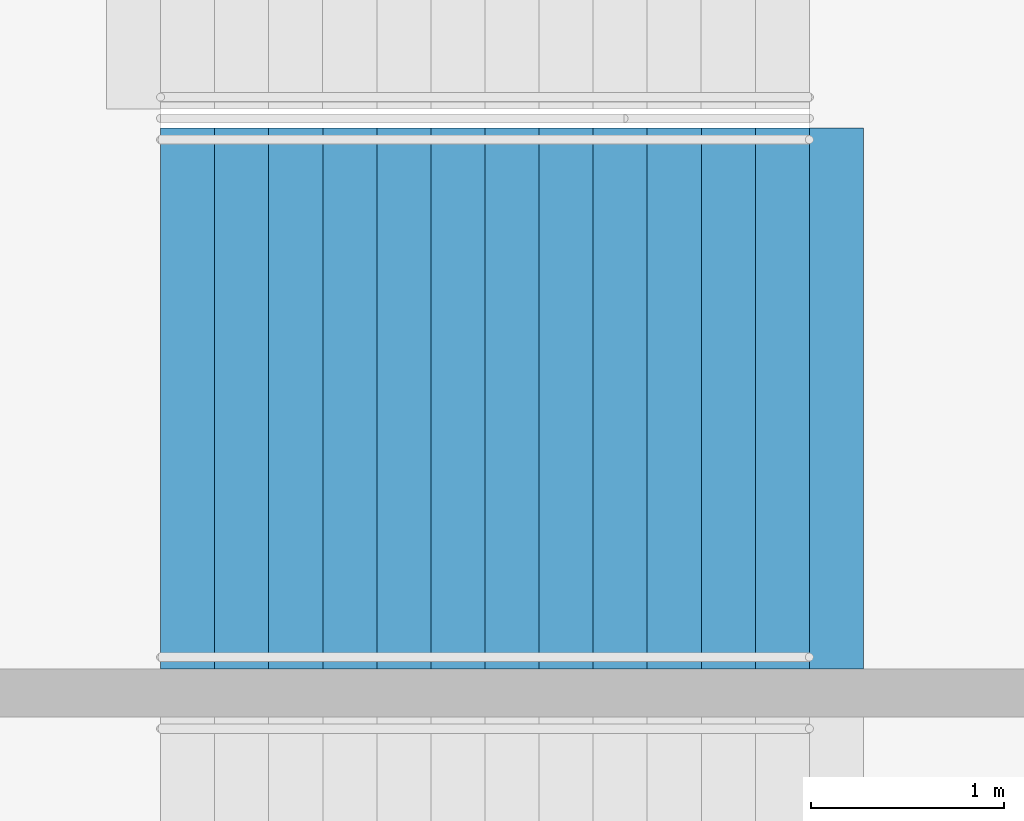
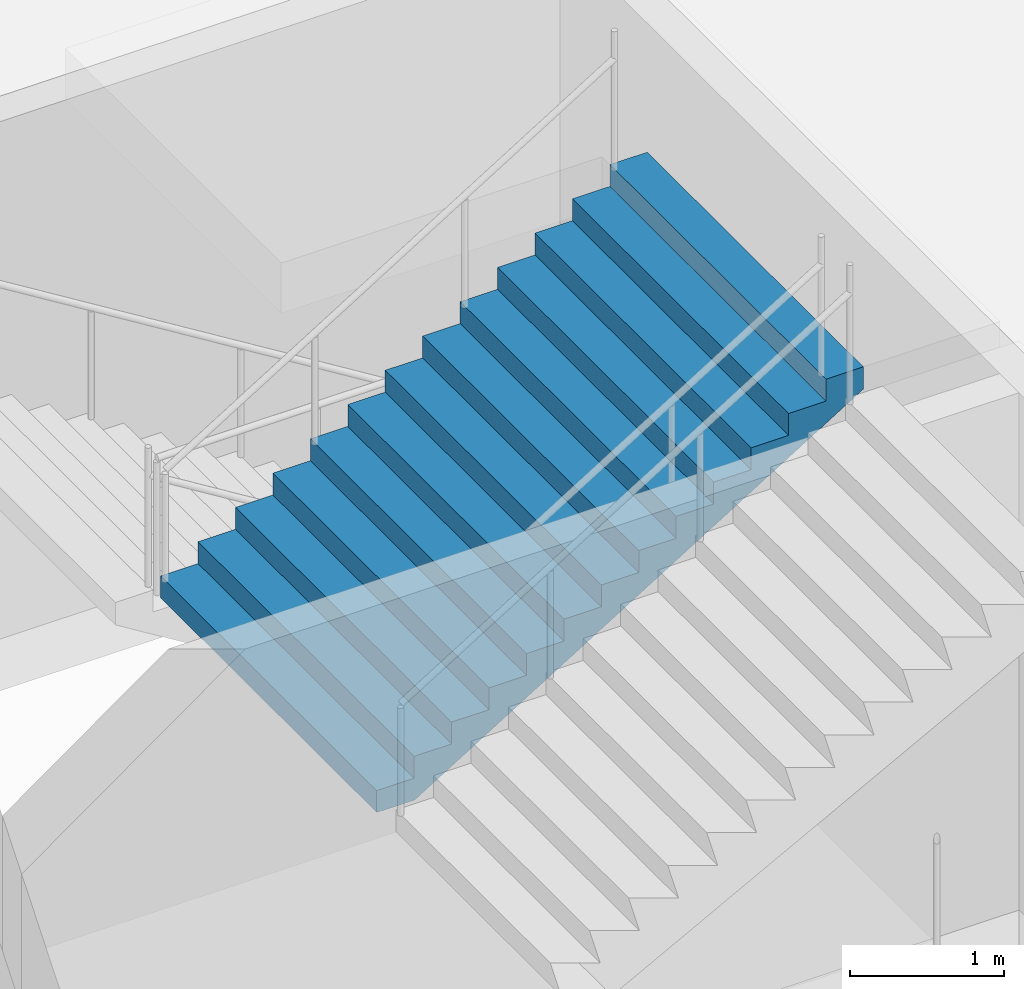
# One storey, part 128 of 199: 1 stair flight, 1 element without a shape of its own.
"""IFC4 building model written with IfcOpenShell, lengths in metres."""

from ifc_helpers import new_model, si_unit, direction, frame, origin, place, context, subcontext, project, spatial, faceted_brep, material, type_object, element, aggregate, save


model = new_model("IFC4")

# Units and contexts
model_context = context("Model", 3, precision=1e-05, world=origin(), true_north=direction((0.0, 1.0)))
body_context = subcontext(model_context, "Body", "Model", "MODEL_VIEW")
ifc_project = project(units=[si_unit("LENGTHUNIT", "METRE"), si_unit("AREAUNIT", "SQUARE_METRE"), si_unit("VOLUMEUNIT", "CUBIC_METRE"), si_unit("PLANEANGLEUNIT", "RADIAN"), si_unit("MASSUNIT", "GRAM", prefix="KILO")], contexts=[model_context])

# Site, building, storey
site_placement = place(None, origin())
site = spatial("IfcSite", under=ifc_project, at=site_placement, CompositionType="ELEMENT")
building_placement = place(site_placement, origin())
building = spatial("IfcBuilding", under=site, at=building_placement, Name="Ogive Plaza Stadium", CompositionType="ELEMENT")
storey_placement = place(building_placement, frame((0.0, 0.0, 4.5)))
storey = spatial("IfcBuildingStorey", under=building, at=storey_placement, Name="L01", CompositionType="ELEMENT", Elevation=4.5)

# Stair, stair flight
ifc_material_1 = material(Name="Concrete C40/50", Category="concrete")
stair_type = type_object("IfcStairType", Name="Exit stair", PredefinedType="STRAIGHT_RUN_STAIR", material=ifc_material_1)
stair_placement = place(storey_placement, origin())
stair = element("IfcStair", 1, at=stair_placement, inside=storey, type_object=stair_type, Name="Exit stair ST22A L01 to L02", PredefinedType="STRAIGHT_RUN_STAIR")
ifc_material_2 = material(Name="Concrete C40/50", Category="concrete")
stair_flight_type = type_object("IfcStairFlightType", Name="Exit stair flight", PredefinedType="STRAIGHT", material=ifc_material_2)
stair_flight_placement = place(storey_placement, frame((-79.7099609375, -35.97509765625, 2.25), z_axis=(0.0, 0.0, 1.0), x_axis=(1.0, 0.0, 0.0)))
stair_flight = element("IfcStairFlight", 2, at=stair_flight_placement, type_object=stair_flight_type, Name="ST22A flight 2", NumberOfRisers=13, NumberOfTreads=12, PredefinedType="STRAIGHT", RiserHeight=0.173076923, TreadLength=0.28, context=body_context, shape_type="Brep", body=[
    faceted_brep([(0.28515625, -1.39990234375, 0.0), (3.639892578125, -1.39990234375, 2.07373046875), (3.639892578125, -1.39990234375, 2.25), (3.360107421875, -1.39990234375, 2.25), (3.360107421875, -1.39990234375, 2.076904296875), (3.080078125, -1.39990234375, 2.076904296875), (3.080078125, -1.39990234375, 1.90380859375), (2.800048828125, -1.39990234375, 1.90380859375), (2.800048828125, -1.39990234375, 1.730712890625), (2.52001953125, -1.39990234375, 1.730712890625), (2.52001953125, -1.39990234375, 1.5576171875), (2.239990234375, -1.39990234375, 1.5576171875), (2.239990234375, -1.39990234375, 1.384521484375), (1.9599609375, -1.39990234375, 1.384521484375), (1.9599609375, -1.39990234375, 1.21142578125), (1.679931640625, -1.39990234375, 1.21142578125), (1.679931640625, -1.39990234375, 1.03857421875), (1.39990234375, -1.39990234375, 1.03857421875), (1.39990234375, -1.39990234375, 0.865478515625), (1.1201171875, -1.39990234375, 0.865478515625), (1.1201171875, -1.39990234375, 0.6923828125), (0.840087890625, -1.39990234375, 0.6923828125), (0.840087890625, -1.39990234375, 0.519287109375), (0.56005859375, -1.39990234375, 0.519287109375), (0.56005859375, -1.39990234375, 0.34619140625), (0.280029296875, -1.39990234375, 0.34619140625), (0.280029296875, -1.39990234375, 0.173095703125), (0.0, -1.39990234375, 0.173095703125), (0.0, -1.39990234375, 0.0), (0.0, 1.39990234375, 0.0), (0.0, 1.39990234375, 0.173095703125), (0.280029296875, 1.39990234375, 0.173095703125), (0.280029296875, 1.39990234375, 0.34619140625), (0.56005859375, 1.39990234375, 0.34619140625), (0.56005859375, 1.39990234375, 0.519287109375), (0.840087890625, 1.39990234375, 0.519287109375), (0.840087890625, 1.39990234375, 0.6923828125), (1.1201171875, 1.39990234375, 0.6923828125), (1.1201171875, 1.39990234375, 0.865478515625), (1.39990234375, 1.39990234375, 0.865478515625), (1.39990234375, 1.39990234375, 1.03857421875), (1.679931640625, 1.39990234375, 1.03857421875), (1.679931640625, 1.39990234375, 1.21142578125), (1.9599609375, 1.39990234375, 1.21142578125), (1.9599609375, 1.39990234375, 1.384521484375), (2.239990234375, 1.39990234375, 1.384521484375), (2.239990234375, 1.39990234375, 1.5576171875), (2.52001953125, 1.39990234375, 1.5576171875), (2.52001953125, 1.39990234375, 1.730712890625), (2.800048828125, 1.39990234375, 1.730712890625), (2.800048828125, 1.39990234375, 1.90380859375), (3.080078125, 1.39990234375, 1.90380859375), (3.080078125, 1.39990234375, 2.076904296875), (3.360107421875, 1.39990234375, 2.076904296875), (3.360107421875, 1.39990234375, 2.25), (3.639892578125, 1.39990234375, 2.25), (3.639892578125, 1.39990234375, 2.07373046875), (0.28515625, 1.39990234375, 0.0), (0.28515625, -1.0888671875, 0.0), (3.639892578125, -1.0888671875, 2.07373046875), (0.28515625, -0.77783203125, 0.0), (3.639892578125, -0.77783203125, 2.07373046875), (0.28515625, -0.466796875, 0.0), (3.639892578125, -0.466796875, 2.07373046875), (0.28515625, -0.155517578125, 0.0), (3.639892578125, -0.155517578125, 2.07373046875), (0.28515625, 0.155517578125, 0.0), (3.639892578125, 0.155517578125, 2.07373046875), (0.28515625, 0.466796875, 0.0), (3.639892578125, 0.466796875, 2.07373046875), (0.28515625, 0.77783203125, 0.0), (3.639892578125, 0.77783203125, 2.07373046875), (0.28515625, 1.0888671875, 0.0), (3.639892578125, 1.0888671875, 2.07373046875), (3.639892578125, -1.0888671875, 2.25), (3.639892578125, -0.77783203125, 2.25), (3.639892578125, -0.466796875, 2.25), (3.639892578125, -0.155517578125, 2.25), (3.639892578125, 0.155517578125, 2.25), (3.639892578125, 0.466796875, 2.25), (3.639892578125, 0.77783203125, 2.25), (3.639892578125, 1.0888671875, 2.25), (3.360107421875, -1.0888671875, 2.25), (3.360107421875, -0.77783203125, 2.25), (3.360107421875, -0.466796875, 2.25), (3.360107421875, -0.155517578125, 2.25), (3.360107421875, 0.155517578125, 2.25), (3.360107421875, 0.466796875, 2.25), (3.360107421875, 0.77783203125, 2.25), (3.360107421875, 1.0888671875, 2.25), (3.360107421875, -1.0888671875, 2.076904296875), (3.360107421875, -0.77783203125, 2.076904296875), (3.360107421875, -0.466796875, 2.076904296875), (3.360107421875, -0.155517578125, 2.076904296875), (3.360107421875, 0.155517578125, 2.076904296875), (3.360107421875, 0.466796875, 2.076904296875), (3.360107421875, 0.77783203125, 2.076904296875), (3.360107421875, 1.0888671875, 2.076904296875), (3.080078125, -1.0888671875, 2.076904296875), (3.080078125, -0.77783203125, 2.076904296875), (3.080078125, -0.466796875, 2.076904296875), (3.080078125, -0.155517578125, 2.076904296875), (3.080078125, 0.155517578125, 2.076904296875), (3.080078125, 0.466796875, 2.076904296875), (3.080078125, 0.77783203125, 2.076904296875), (3.080078125, 1.0888671875, 2.076904296875), (3.080078125, -1.0888671875, 1.90380859375), (3.080078125, -0.77783203125, 1.90380859375), (3.080078125, -0.466796875, 1.90380859375), (3.080078125, -0.155517578125, 1.90380859375), (3.080078125, 0.155517578125, 1.90380859375), (3.080078125, 0.466796875, 1.90380859375), (3.080078125, 0.77783203125, 1.90380859375), (3.080078125, 1.0888671875, 1.90380859375), (2.800048828125, -1.0888671875, 1.90380859375), (2.800048828125, -0.77783203125, 1.90380859375), (2.800048828125, -0.466796875, 1.90380859375), (2.800048828125, -0.155517578125, 1.90380859375), (2.800048828125, 0.155517578125, 1.90380859375), (2.800048828125, 0.466796875, 1.90380859375), (2.800048828125, 0.77783203125, 1.90380859375), (2.800048828125, 1.0888671875, 1.90380859375), (2.800048828125, -1.0888671875, 1.730712890625), (2.800048828125, -0.77783203125, 1.730712890625), (2.800048828125, -0.466796875, 1.730712890625), (2.800048828125, -0.155517578125, 1.730712890625), (2.800048828125, 0.155517578125, 1.730712890625), (2.800048828125, 0.466796875, 1.730712890625), (2.800048828125, 0.77783203125, 1.730712890625), (2.800048828125, 1.0888671875, 1.730712890625), (2.52001953125, -1.0888671875, 1.730712890625), (2.52001953125, -0.77783203125, 1.730712890625), (2.52001953125, -0.466796875, 1.730712890625), (2.52001953125, -0.155517578125, 1.730712890625), (2.52001953125, 0.155517578125, 1.730712890625), (2.52001953125, 0.466796875, 1.730712890625), (2.52001953125, 0.77783203125, 1.730712890625), (2.52001953125, 1.0888671875, 1.730712890625), (2.52001953125, -1.0888671875, 1.5576171875), (2.52001953125, -0.77783203125, 1.5576171875), (2.52001953125, -0.466796875, 1.5576171875), (2.52001953125, -0.155517578125, 1.5576171875), (2.52001953125, 0.155517578125, 1.5576171875), (2.52001953125, 0.466796875, 1.5576171875), (2.52001953125, 0.77783203125, 1.5576171875), (2.52001953125, 1.0888671875, 1.5576171875), (2.239990234375, -1.0888671875, 1.5576171875), (2.239990234375, -0.77783203125, 1.5576171875), (2.239990234375, -0.466796875, 1.5576171875), (2.239990234375, -0.155517578125, 1.5576171875), (2.239990234375, 0.155517578125, 1.5576171875), (2.239990234375, 0.466796875, 1.5576171875), (2.239990234375, 0.77783203125, 1.5576171875), (2.239990234375, 1.0888671875, 1.5576171875), (2.239990234375, -1.0888671875, 1.384521484375), (2.239990234375, -0.77783203125, 1.384521484375), (2.239990234375, -0.466796875, 1.384521484375), (2.239990234375, -0.155517578125, 1.384521484375), (2.239990234375, 0.155517578125, 1.384521484375), (2.239990234375, 0.466796875, 1.384521484375), (2.239990234375, 0.77783203125, 1.384521484375), (2.239990234375, 1.0888671875, 1.384521484375), (1.9599609375, -1.0888671875, 1.384521484375), (1.9599609375, -0.77783203125, 1.384521484375), (1.9599609375, -0.466796875, 1.384521484375), (1.9599609375, -0.155517578125, 1.384521484375), (1.9599609375, 0.155517578125, 1.384521484375), (1.9599609375, 0.466796875, 1.384521484375), (1.9599609375, 0.77783203125, 1.384521484375), (1.9599609375, 1.0888671875, 1.384521484375), (1.9599609375, -1.0888671875, 1.21142578125), (1.9599609375, -0.77783203125, 1.21142578125), (1.9599609375, -0.466796875, 1.21142578125), (1.9599609375, -0.155517578125, 1.21142578125), (1.9599609375, 0.155517578125, 1.21142578125), (1.9599609375, 0.466796875, 1.21142578125), (1.9599609375, 0.77783203125, 1.21142578125), (1.9599609375, 1.0888671875, 1.21142578125), (1.679931640625, -1.0888671875, 1.21142578125), (1.679931640625, -0.77783203125, 1.21142578125), (1.679931640625, -0.466796875, 1.21142578125), (1.679931640625, -0.155517578125, 1.21142578125), (1.679931640625, 0.155517578125, 1.21142578125), (1.679931640625, 0.466796875, 1.21142578125), (1.679931640625, 0.77783203125, 1.21142578125), (1.679931640625, 1.0888671875, 1.21142578125), (1.679931640625, -1.0888671875, 1.03857421875), (1.679931640625, -0.77783203125, 1.03857421875), (1.679931640625, -0.466796875, 1.03857421875), (1.679931640625, -0.155517578125, 1.03857421875), (1.679931640625, 0.155517578125, 1.03857421875), (1.679931640625, 0.466796875, 1.03857421875), (1.679931640625, 0.77783203125, 1.03857421875), (1.679931640625, 1.0888671875, 1.03857421875), (1.39990234375, -1.0888671875, 1.03857421875), (1.39990234375, -0.77783203125, 1.03857421875), (1.39990234375, -0.466796875, 1.03857421875), (1.39990234375, -0.155517578125, 1.03857421875), (1.39990234375, 0.155517578125, 1.03857421875), (1.39990234375, 0.466796875, 1.03857421875), (1.39990234375, 0.77783203125, 1.03857421875), (1.39990234375, 1.0888671875, 1.03857421875), (1.39990234375, -1.0888671875, 0.865478515625), (1.39990234375, -0.77783203125, 0.865478515625), (1.39990234375, -0.466796875, 0.865478515625), (1.39990234375, -0.155517578125, 0.865478515625), (1.39990234375, 0.155517578125, 0.865478515625), (1.39990234375, 0.466796875, 0.865478515625), (1.39990234375, 0.77783203125, 0.865478515625), (1.39990234375, 1.0888671875, 0.865478515625), (1.1201171875, -1.0888671875, 0.865478515625), (1.1201171875, -0.77783203125, 0.865478515625), (1.1201171875, -0.466796875, 0.865478515625), (1.1201171875, -0.155517578125, 0.865478515625), (1.1201171875, 0.155517578125, 0.865478515625), (1.1201171875, 0.466796875, 0.865478515625), (1.1201171875, 0.77783203125, 0.865478515625), (1.1201171875, 1.0888671875, 0.865478515625), (1.1201171875, -1.0888671875, 0.6923828125), (1.1201171875, -0.77783203125, 0.6923828125), (1.1201171875, -0.466796875, 0.6923828125), (1.1201171875, -0.155517578125, 0.6923828125), (1.1201171875, 0.155517578125, 0.6923828125), (1.1201171875, 0.466796875, 0.6923828125), (1.1201171875, 0.77783203125, 0.6923828125), (1.1201171875, 1.0888671875, 0.6923828125), (0.840087890625, -1.0888671875, 0.6923828125), (0.840087890625, -0.77783203125, 0.6923828125), (0.840087890625, -0.466796875, 0.6923828125), (0.840087890625, -0.155517578125, 0.6923828125), (0.840087890625, 0.155517578125, 0.6923828125), (0.840087890625, 0.466796875, 0.6923828125), (0.840087890625, 0.77783203125, 0.6923828125), (0.840087890625, 1.0888671875, 0.6923828125), (0.840087890625, -1.0888671875, 0.519287109375), (0.840087890625, -0.77783203125, 0.519287109375), (0.840087890625, -0.466796875, 0.519287109375), (0.840087890625, -0.155517578125, 0.519287109375), (0.840087890625, 0.155517578125, 0.519287109375), (0.840087890625, 0.466796875, 0.519287109375), (0.840087890625, 0.77783203125, 0.519287109375), (0.840087890625, 1.0888671875, 0.519287109375), (0.56005859375, -1.0888671875, 0.519287109375), (0.56005859375, -0.77783203125, 0.519287109375), (0.56005859375, -0.466796875, 0.519287109375), (0.56005859375, -0.155517578125, 0.519287109375), (0.56005859375, 0.155517578125, 0.519287109375), (0.56005859375, 0.466796875, 0.519287109375), (0.56005859375, 0.77783203125, 0.519287109375), (0.56005859375, 1.0888671875, 0.519287109375), (0.56005859375, -1.0888671875, 0.34619140625), (0.56005859375, -0.77783203125, 0.34619140625), (0.56005859375, -0.466796875, 0.34619140625), (0.56005859375, -0.155517578125, 0.34619140625), (0.56005859375, 0.155517578125, 0.34619140625), (0.56005859375, 0.466796875, 0.34619140625), (0.56005859375, 0.77783203125, 0.34619140625), (0.56005859375, 1.0888671875, 0.34619140625), (0.280029296875, -1.0888671875, 0.34619140625), (0.280029296875, -0.77783203125, 0.34619140625), (0.280029296875, -0.466796875, 0.34619140625), (0.280029296875, -0.155517578125, 0.34619140625), (0.280029296875, 0.155517578125, 0.34619140625), (0.280029296875, 0.466796875, 0.34619140625), (0.280029296875, 0.77783203125, 0.34619140625), (0.280029296875, 1.0888671875, 0.34619140625), (0.280029296875, -1.0888671875, 0.173095703125), (0.280029296875, -0.77783203125, 0.173095703125), (0.280029296875, -0.466796875, 0.173095703125), (0.280029296875, -0.155517578125, 0.173095703125), (0.280029296875, 0.155517578125, 0.173095703125), (0.280029296875, 0.466796875, 0.173095703125), (0.280029296875, 0.77783203125, 0.173095703125), (0.280029296875, 1.0888671875, 0.173095703125), (0.0, -1.0888671875, 0.173095703125), (0.0, -0.77783203125, 0.173095703125), (0.0, -0.466796875, 0.173095703125), (0.0, -0.155517578125, 0.173095703125), (0.0, 0.155517578125, 0.173095703125), (0.0, 0.466796875, 0.173095703125), (0.0, 0.77783203125, 0.173095703125), (0.0, 1.0888671875, 0.173095703125), (0.0, -1.0888671875, 0.0), (0.0, -0.77783203125, 0.0), (0.0, -0.466796875, 0.0), (0.0, -0.155517578125, 0.0), (0.0, 0.155517578125, 0.0), (0.0, 0.466796875, 0.0), (0.0, 0.77783203125, 0.0), (0.0, 1.0888671875, 0.0)], [[[0, 1, 2, 3, 4, 5, 6, 7, 8, 9, 10, 11, 12, 13, 14, 15, 16, 17, 18, 19, 20, 21, 22, 23, 24, 25, 26, 27, 28]], [[29, 30, 31, 32, 33, 34, 35, 36, 37, 38, 39, 40, 41, 42, 43, 44, 45, 46, 47, 48, 49, 50, 51, 52, 53, 54, 55, 56, 57]], [[0, 58, 59, 1]], [[58, 60, 61, 59]], [[60, 62, 63, 61]], [[62, 64, 65, 63]], [[64, 66, 67, 65]], [[66, 68, 69, 67]], [[68, 70, 71, 69]], [[70, 72, 73, 71]], [[72, 57, 56, 73]], [[1, 59, 74, 2]], [[59, 61, 75, 74]], [[61, 63, 76, 75]], [[63, 65, 77, 76]], [[65, 67, 78, 77]], [[67, 69, 79, 78]], [[69, 71, 80, 79]], [[71, 73, 81, 80]], [[73, 56, 55, 81]], [[2, 74, 82, 3]], [[74, 75, 83, 82]], [[75, 76, 84, 83]], [[76, 77, 85, 84]], [[77, 78, 86, 85]], [[78, 79, 87, 86]], [[79, 80, 88, 87]], [[80, 81, 89, 88]], [[81, 55, 54, 89]], [[3, 82, 90, 4]], [[82, 83, 91, 90]], [[83, 84, 92, 91]], [[84, 85, 93, 92]], [[85, 86, 94, 93]], [[86, 87, 95, 94]], [[87, 88, 96, 95]], [[88, 89, 97, 96]], [[89, 54, 53, 97]], [[4, 90, 98, 5]], [[90, 91, 99, 98]], [[91, 92, 100, 99]], [[92, 93, 101, 100]], [[93, 94, 102, 101]], [[94, 95, 103, 102]], [[95, 96, 104, 103]], [[96, 97, 105, 104]], [[97, 53, 52, 105]], [[5, 98, 106, 6]], [[98, 99, 107, 106]], [[99, 100, 108, 107]], [[100, 101, 109, 108]], [[101, 102, 110, 109]], [[102, 103, 111, 110]], [[103, 104, 112, 111]], [[104, 105, 113, 112]], [[105, 52, 51, 113]], [[6, 106, 114, 7]], [[106, 107, 115, 114]], [[107, 108, 116, 115]], [[108, 109, 117, 116]], [[109, 110, 118, 117]], [[110, 111, 119, 118]], [[111, 112, 120, 119]], [[112, 113, 121, 120]], [[113, 51, 50, 121]], [[7, 114, 122, 8]], [[114, 115, 123, 122]], [[115, 116, 124, 123]], [[116, 117, 125, 124]], [[117, 118, 126, 125]], [[118, 119, 127, 126]], [[119, 120, 128, 127]], [[120, 121, 129, 128]], [[121, 50, 49, 129]], [[8, 122, 130, 9]], [[122, 123, 131, 130]], [[123, 124, 132, 131]], [[124, 125, 133, 132]], [[125, 126, 134, 133]], [[126, 127, 135, 134]], [[127, 128, 136, 135]], [[128, 129, 137, 136]], [[129, 49, 48, 137]], [[9, 130, 138, 10]], [[130, 131, 139, 138]], [[131, 132, 140, 139]], [[132, 133, 141, 140]], [[133, 134, 142, 141]], [[134, 135, 143, 142]], [[135, 136, 144, 143]], [[136, 137, 145, 144]], [[137, 48, 47, 145]], [[10, 138, 146, 11]], [[138, 139, 147, 146]], [[139, 140, 148, 147]], [[140, 141, 149, 148]], [[141, 142, 150, 149]], [[142, 143, 151, 150]], [[143, 144, 152, 151]], [[144, 145, 153, 152]], [[145, 47, 46, 153]], [[11, 146, 154, 12]], [[146, 147, 155, 154]], [[147, 148, 156, 155]], [[148, 149, 157, 156]], [[149, 150, 158, 157]], [[150, 151, 159, 158]], [[151, 152, 160, 159]], [[152, 153, 161, 160]], [[153, 46, 45, 161]], [[12, 154, 162, 13]], [[154, 155, 163, 162]], [[155, 156, 164, 163]], [[156, 157, 165, 164]], [[157, 158, 166, 165]], [[158, 159, 167, 166]], [[159, 160, 168, 167]], [[160, 161, 169, 168]], [[161, 45, 44, 169]], [[13, 162, 170, 14]], [[162, 163, 171, 170]], [[163, 164, 172, 171]], [[164, 165, 173, 172]], [[165, 166, 174, 173]], [[166, 167, 175, 174]], [[167, 168, 176, 175]], [[168, 169, 177, 176]], [[169, 44, 43, 177]], [[14, 170, 178, 15]], [[170, 171, 179, 178]], [[171, 172, 180, 179]], [[172, 173, 181, 180]], [[173, 174, 182, 181]], [[174, 175, 183, 182]], [[175, 176, 184, 183]], [[176, 177, 185, 184]], [[177, 43, 42, 185]], [[15, 178, 186, 16]], [[178, 179, 187, 186]], [[179, 180, 188, 187]], [[180, 181, 189, 188]], [[181, 182, 190, 189]], [[182, 183, 191, 190]], [[183, 184, 192, 191]], [[184, 185, 193, 192]], [[185, 42, 41, 193]], [[16, 186, 194, 17]], [[186, 187, 195, 194]], [[187, 188, 196, 195]], [[188, 189, 197, 196]], [[189, 190, 198, 197]], [[190, 191, 199, 198]], [[191, 192, 200, 199]], [[192, 193, 201, 200]], [[193, 41, 40, 201]], [[17, 194, 202, 18]], [[194, 195, 203, 202]], [[195, 196, 204, 203]], [[196, 197, 205, 204]], [[197, 198, 206, 205]], [[198, 199, 207, 206]], [[199, 200, 208, 207]], [[200, 201, 209, 208]], [[201, 40, 39, 209]], [[18, 202, 210, 19]], [[202, 203, 211, 210]], [[203, 204, 212, 211]], [[204, 205, 213, 212]], [[205, 206, 214, 213]], [[206, 207, 215, 214]], [[207, 208, 216, 215]], [[208, 209, 217, 216]], [[209, 39, 38, 217]], [[19, 210, 218, 20]], [[210, 211, 219, 218]], [[211, 212, 220, 219]], [[212, 213, 221, 220]], [[213, 214, 222, 221]], [[214, 215, 223, 222]], [[215, 216, 224, 223]], [[216, 217, 225, 224]], [[217, 38, 37, 225]], [[20, 218, 226, 21]], [[218, 219, 227, 226]], [[219, 220, 228, 227]], [[220, 221, 229, 228]], [[221, 222, 230, 229]], [[222, 223, 231, 230]], [[223, 224, 232, 231]], [[224, 225, 233, 232]], [[225, 37, 36, 233]], [[21, 226, 234, 22]], [[226, 227, 235, 234]], [[227, 228, 236, 235]], [[228, 229, 237, 236]], [[229, 230, 238, 237]], [[230, 231, 239, 238]], [[231, 232, 240, 239]], [[232, 233, 241, 240]], [[233, 36, 35, 241]], [[22, 234, 242, 23]], [[234, 235, 243, 242]], [[235, 236, 244, 243]], [[236, 237, 245, 244]], [[237, 238, 246, 245]], [[238, 239, 247, 246]], [[239, 240, 248, 247]], [[240, 241, 249, 248]], [[241, 35, 34, 249]], [[23, 242, 250, 24]], [[242, 243, 251, 250]], [[243, 244, 252, 251]], [[244, 245, 253, 252]], [[245, 246, 254, 253]], [[246, 247, 255, 254]], [[247, 248, 256, 255]], [[248, 249, 257, 256]], [[249, 34, 33, 257]], [[24, 250, 258, 25]], [[250, 251, 259, 258]], [[251, 252, 260, 259]], [[252, 253, 261, 260]], [[253, 254, 262, 261]], [[254, 255, 263, 262]], [[255, 256, 264, 263]], [[256, 257, 265, 264]], [[257, 33, 32, 265]], [[25, 258, 266, 26]], [[258, 259, 267, 266]], [[259, 260, 268, 267]], [[260, 261, 269, 268]], [[261, 262, 270, 269]], [[262, 263, 271, 270]], [[263, 264, 272, 271]], [[264, 265, 273, 272]], [[265, 32, 31, 273]], [[26, 266, 274, 27]], [[266, 267, 275, 274]], [[267, 268, 276, 275]], [[268, 269, 277, 276]], [[269, 270, 278, 277]], [[270, 271, 279, 278]], [[271, 272, 280, 279]], [[272, 273, 281, 280]], [[273, 31, 30, 281]], [[27, 274, 282, 28]], [[274, 275, 283, 282]], [[275, 276, 284, 283]], [[276, 277, 285, 284]], [[277, 278, 286, 285]], [[278, 279, 287, 286]], [[279, 280, 288, 287]], [[280, 281, 289, 288]], [[281, 30, 29, 289]], [[28, 282, 58, 0]], [[282, 283, 60, 58]], [[283, 284, 62, 60]], [[284, 285, 64, 62]], [[285, 286, 66, 64]], [[286, 287, 68, 66]], [[287, 288, 70, 68]], [[288, 289, 72, 70]], [[289, 29, 57, 72]]]),
])
aggregate(stair, [stair_flight])

save(model, "model.ifc")
